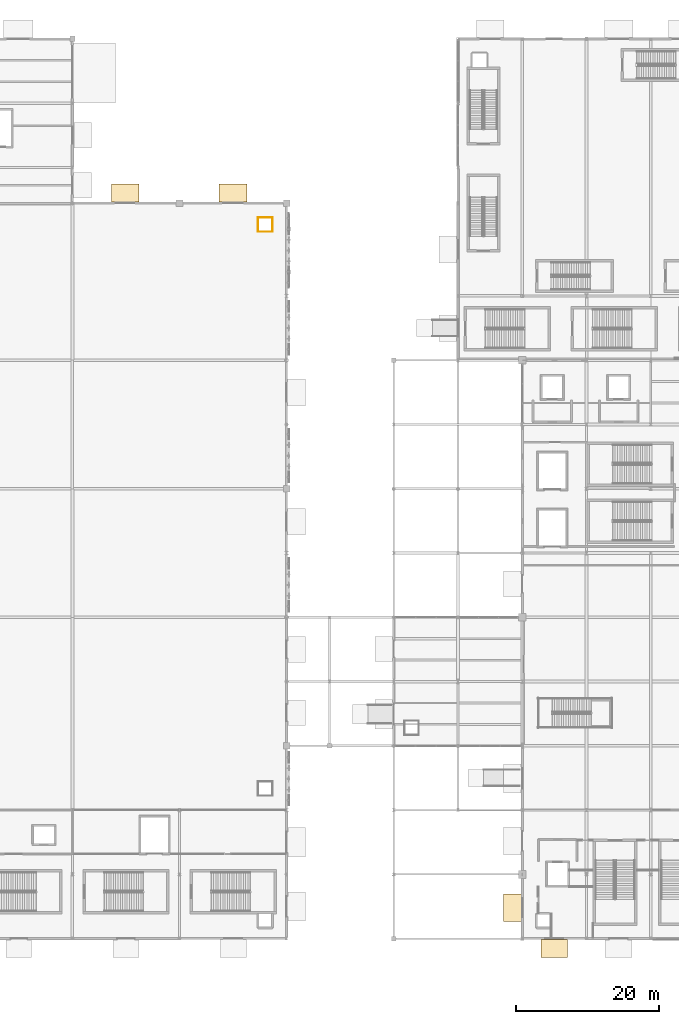
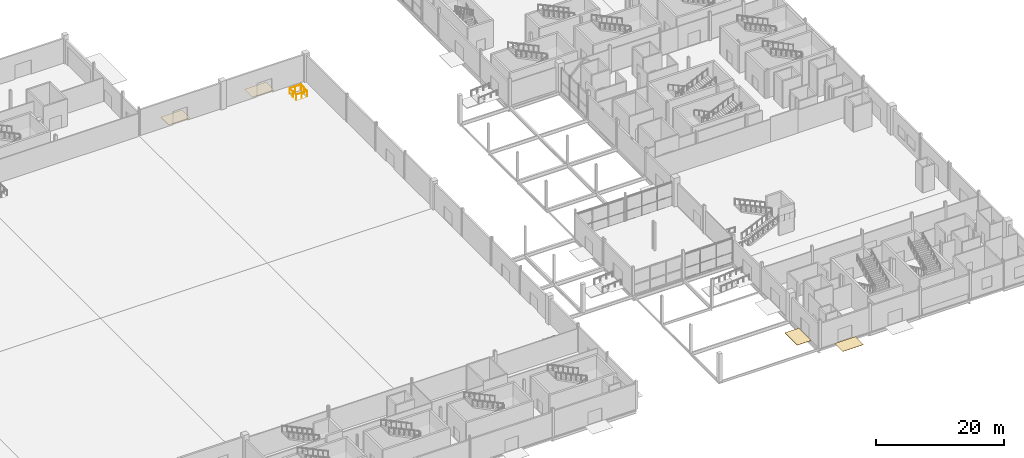
# One storey, part 82 of 94: 4 coverings, 4 railings.
"""IFC4 building model written with IfcOpenShell, lengths in metres."""

from ifc_helpers import new_model, si_unit, direction, frame, origin, origin_2d, place, context, subcontext, project, spatial, rectangle, circle, extrude, material, layer, layer_set, type_object, element, save


model = new_model("IFC4")

# Units and contexts
model_context = context("Model", 3, precision=1e-05, world=origin(), true_north=direction((0.0, 1.0)))
body_context = subcontext(model_context, "Body", "Model", "MODEL_VIEW")
ifc_project = project(units=[si_unit("LENGTHUNIT", "METRE"), si_unit("AREAUNIT", "SQUARE_METRE"), si_unit("VOLUMEUNIT", "CUBIC_METRE"), si_unit("PLANEANGLEUNIT", "RADIAN"), si_unit("MASSUNIT", "GRAM", prefix="KILO")], contexts=[model_context])

# Site, building, storey
site_placement = place(None, origin())
site = spatial("IfcSite", under=ifc_project, at=site_placement, CompositionType="ELEMENT")
building_placement = place(site_placement, origin())
building = spatial("IfcBuilding", under=site, at=building_placement, Name="Qamarlyn Nura Convention Centre", CompositionType="ELEMENT")
storey_placement = place(building_placement, origin())
storey = spatial("IfcBuildingStorey", under=building, at=storey_placement, Name="L00", CompositionType="ELEMENT", Elevation=0.0)

# Coverings
ifc_material_1 = material(Name="Polished coastal aggregate terrazzo")
ifc_layer = layer(ifc_material_1, 0.030029296875, Name="COV-FLOOR-TERR")
ifc_layer_set = layer_set([ifc_layer], Name="Polished coastal aggregate terrazzo")
covering_type = type_object("IfcCoveringType", Name="COV-FLOOR-TERR", PredefinedType="FLOORING", material=ifc_layer_set)
covering_1_placement = place(storey_placement, frame((97.364013671875, 104.39990234375, -0.02978515625), z_axis=(0.0, 0.0, 1.0), x_axis=(1.0, 0.0, 0.0)))
element("IfcCovering", 1, at=covering_1_placement, inside=storey, type_object=covering_type, Name="Exterior exit threshold apron E-21", PredefinedType="FLOORING", context=body_context, shape_type="SweptSolid", body=[
    extrude(rectangle(XDim=3.85009765625, YDim=2.5, at=origin_2d()), origin(), (0.0, 0.0, 1.0), 0.030029296875),
])
covering_2_placement = place(storey_placement, frame((112.5, 104.39990234375, -0.02978515625), z_axis=(0.0, 0.0, 1.0), x_axis=(1.0, 0.0, 0.0)))
element("IfcCovering", 2, at=covering_2_placement, inside=storey, type_object=covering_type, Name="Exterior exit threshold apron E-22", PredefinedType="FLOORING", context=body_context, shape_type="SweptSolid", body=[
    extrude(rectangle(XDim=3.949951171875, YDim=2.5, at=origin_2d()), origin(), (0.0, 0.0, 1.0), 0.030029296875),
])
covering_3_placement = place(storey_placement, frame((157.50244140625, -1.389892578125, -0.02978515625), z_axis=(0.0, 0.0, 1.0), x_axis=(-1.0, 0.0, 0.0)))
element("IfcCovering", 3, at=covering_3_placement, inside=storey, type_object=covering_type, Name="Exterior exit threshold apron E-43", PredefinedType="FLOORING", context=body_context, shape_type="SweptSolid", body=[
    extrude(rectangle(XDim=3.699951171875, YDim=2.5, at=origin_2d()), origin(), (0.0, 0.0, 1.0), 0.030029296875),
])
covering_4_placement = place(storey_placement, frame((151.610107421875, 4.331298828125, -0.02978515625), z_axis=(0.0, 0.0, 1.0), x_axis=(0.0, 1.0, 0.0)))
element("IfcCovering", 4, at=covering_4_placement, inside=storey, type_object=covering_type, Name="Exterior exit threshold apron E-45", PredefinedType="FLOORING", context=body_context, shape_type="SweptSolid", body=[
    extrude(rectangle(XDim=3.85009765625, YDim=2.5, at=origin_2d()), origin(), (0.0, 0.0, 1.0), 0.030029296875),
])

# Railings
ifc_material_2 = material(Name="Marine Grade 316 stainless steel", Category="steel")
railing_type = type_object("IfcRailingType", Name="GRD-VOID-112", PredefinedType="BALUSTRADE", material=ifc_material_2)
railing_1_placement = place(storey_placement, frame((116.0, 101.0, 0.0)))
element("IfcRailing", 5, at=railing_1_placement, inside=storey, type_object=railing_type, Name="L00 slab edge balustrade guard 029", PredefinedType="BALUSTRADE", context=body_context, shape_type="SweptSolid", body=[
    extrude(circle(Radius=0.02392578125, at=origin_2d()), frame((0.0, 0.0, 1.09619140625), z_axis=(0.0, -1.0, 0.0), x_axis=(1.0, 0.0, 0.0)), (0.0, 0.0, 1.0), 2.0),
    extrude(circle(Radius=0.02099609375, at=origin_2d()), origin(), (0.0, 0.0, 1.0), 1.070068359375),
    extrude(circle(Radius=0.02099609375, at=origin_2d()), frame((0.0, -1.0, 0.0)), (0.0, 0.0, 1.0), 1.070068359375),
    extrude(circle(Radius=0.02099609375, at=origin_2d()), frame((0.0, -2.0, 0.0)), (0.0, 0.0, 1.0), 1.070068359375),
])
railing_2_placement = place(storey_placement, frame((116.0, 99.0, 0.0)))
element("IfcRailing", 6, at=railing_2_placement, inside=storey, type_object=railing_type, Name="L00 slab edge balustrade guard 030", PredefinedType="BALUSTRADE", context=body_context, shape_type="SweptSolid", body=[
    extrude(circle(Radius=0.02392578125, at=origin_2d()), frame((0.0, 0.0, 1.09619140625), z_axis=(1.0, 0.0, 0.0), x_axis=(0.0, 1.0, 0.0)), (0.0, 0.0, 1.0), 2.0),
    extrude(circle(Radius=0.02099609375, at=origin_2d()), origin(), (0.0, 0.0, 1.0), 1.070068359375),
    extrude(circle(Radius=0.02099609375, at=origin_2d()), frame((1.0, 0.0, 0.0)), (0.0, 0.0, 1.0), 1.070068359375),
    extrude(circle(Radius=0.02099609375, at=origin_2d()), frame((2.0, 0.0, 0.0)), (0.0, 0.0, 1.0), 1.070068359375),
])
railing_3_placement = place(storey_placement, frame((118.0, 99.0, 0.0)))
element("IfcRailing", 7, at=railing_3_placement, inside=storey, type_object=railing_type, Name="L00 slab edge balustrade guard 031", PredefinedType="BALUSTRADE", context=body_context, shape_type="SweptSolid", body=[
    extrude(circle(Radius=0.02392578125, at=origin_2d()), frame((0.0, 0.0, 1.09619140625), z_axis=(0.0, 1.0, 0.0), x_axis=(-1.0, 0.0, 0.0)), (0.0, 0.0, 1.0), 2.0),
    extrude(circle(Radius=0.02099609375, at=origin_2d()), origin(), (0.0, 0.0, 1.0), 1.070068359375),
    extrude(circle(Radius=0.02099609375, at=origin_2d()), frame((0.0, 1.0, 0.0)), (0.0, 0.0, 1.0), 1.070068359375),
    extrude(circle(Radius=0.02099609375, at=origin_2d()), frame((0.0, 2.0, 0.0)), (0.0, 0.0, 1.0), 1.070068359375),
])
railing_4_placement = place(storey_placement, frame((118.0, 101.0, 0.0)))
element("IfcRailing", 8, at=railing_4_placement, inside=storey, type_object=railing_type, Name="L00 slab edge balustrade guard 032", PredefinedType="BALUSTRADE", context=body_context, shape_type="SweptSolid", body=[
    extrude(circle(Radius=0.02392578125, at=origin_2d()), frame((0.0, 0.0, 1.09619140625), z_axis=(-1.0, 0.0, 0.0), x_axis=(0.0, -1.0, 0.0)), (0.0, 0.0, 1.0), 2.0),
    extrude(circle(Radius=0.02099609375, at=origin_2d()), origin(), (0.0, 0.0, 1.0), 1.070068359375),
    extrude(circle(Radius=0.02099609375, at=origin_2d()), frame((-1.0, 0.0, 0.0)), (0.0, 0.0, 1.0), 1.070068359375),
    extrude(circle(Radius=0.02099609375, at=origin_2d()), frame((-2.0, 0.0, 0.0)), (0.0, 0.0, 1.0), 1.070068359375),
])

save(model, "model.ifc")
